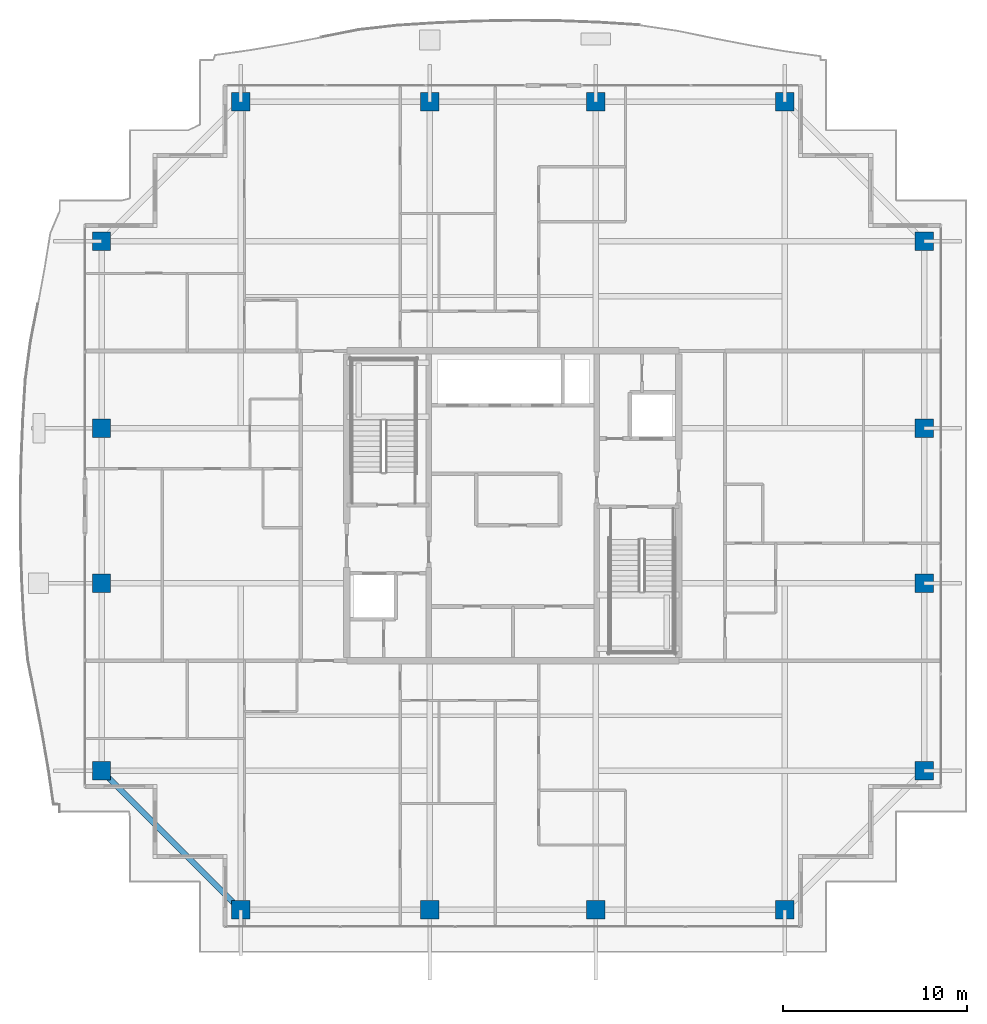
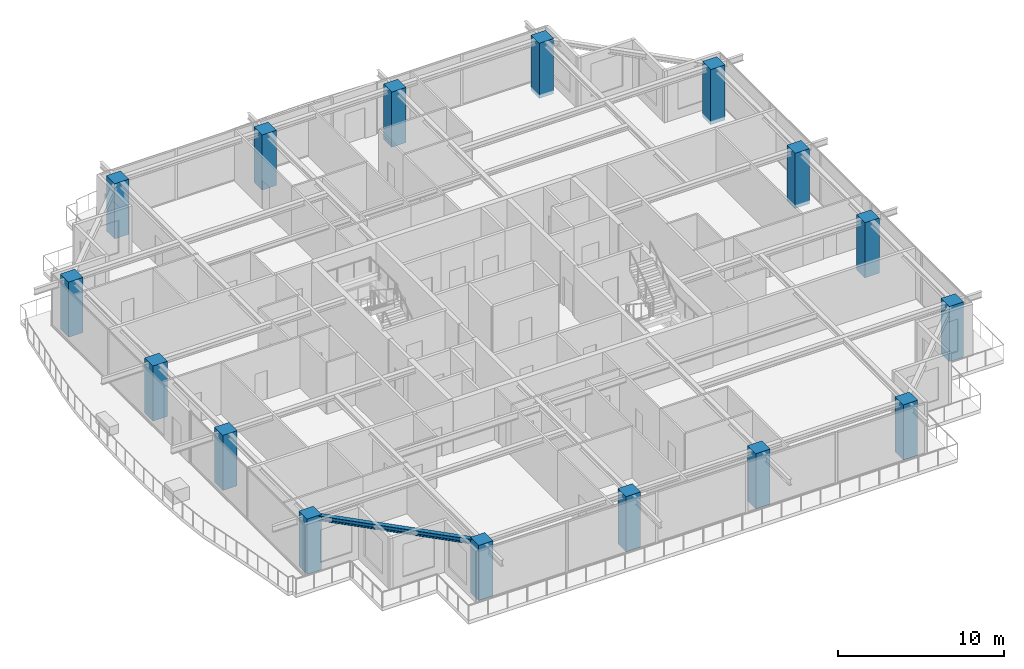
# One storey, part 1 of 37: 16 columns, 1 beam.
"""IFC4 building model written with IfcOpenShell, lengths in metres."""

from ifc_helpers import new_model, si_unit, direction, frame, origin, origin_2d, place, context, subcontext, project, spatial, rectangle, i_section, extrude, source, transform, mapped, material, material_profile, profile_set, type_object, element, save


model = new_model("IFC4")

# Units and contexts
model_context = context("Model", 3, precision=1e-05, world=origin(), true_north=direction((0.0, 1.0)))
body_context = subcontext(model_context, "Body", "Model", "MODEL_VIEW")
ifc_project = project(units=[si_unit("LENGTHUNIT", "METRE"), si_unit("AREAUNIT", "SQUARE_METRE"), si_unit("VOLUMEUNIT", "CUBIC_METRE"), si_unit("PLANEANGLEUNIT", "RADIAN"), si_unit("MASSUNIT", "GRAM", prefix="KILO")], contexts=[model_context])

# Site, building, storey
site_placement = place(None, origin())
site = spatial("IfcSite", under=ifc_project, at=site_placement, CompositionType="ELEMENT")
building_placement = place(site_placement, origin())
building = spatial("IfcBuilding", under=site, at=building_placement, Name="Serunith Strait Residences", CompositionType="ELEMENT")
storey_placement = place(building_placement, frame((0.0, 0.0, 317.75)))
storey = spatial("IfcBuildingStorey", under=building, at=storey_placement, Name="L79", CompositionType="ELEMENT", Elevation=317.75)

# Columns
ifc_material_1 = material(Name="Concrete C70/85", Category="concrete")
ifc_material_profile_1 = material_profile(ifc_material_1, rectangle(XDim=1.0, YDim=1.0, at=origin_2d()), Name="RC 1000x1000")
ifc_profile_set_1 = profile_set([ifc_material_profile_1], Name="Concrete C70/85")
column_type = type_object("IfcColumnType", Name="COL-RC-1000", PredefinedType="COLUMN", material=ifc_profile_set_1)
shared_shape_1 = source(origin(), body_context, "Body", "SweptSolid", [
    extrude(rectangle(XDim=1.0, YDim=1.0, at=origin_2d()), origin(), (0.0, 0.0, 1.0), 4.050048828125),
])
for number, where, z_axis, x_axis, name in (
    (1, (17.64990234375, 3.300048828125, -0.260009765625), (0.0, 0.0, 1.0), (1.0, 0.0, 0.0), "L79 Tower Mega-Column TC-S1"),
    (2, (27.89990234375, 3.300048828125, -0.260009765625), (0.0, 0.0, 1.0), (1.0, 0.0, 0.0), "L79 Tower Mega-Column TC-S2"),
    (3, (36.89990234375, 3.300048828125, -0.260009765625), (0.0, 0.0, 1.0), (1.0, 0.0, 0.0), "L79 Tower Mega-Column TC-S3"),
    (4, (47.14990234375, 3.300048828125, -0.260009765625), (0.0, 0.0, 1.0), (1.0, 0.0, 0.0), "L79 Tower Mega-Column TC-S4"),
    (5, (17.64990234375, 47.10009765625, -0.260009765625), (0.0, 0.0, 1.0), (1.0, 0.0, 0.0), "L79 Tower Mega-Column TC-N1"),
    (6, (27.89990234375, 47.10009765625, -0.260009765625), (0.0, 0.0, 1.0), (1.0, 0.0, 0.0), "L79 Tower Mega-Column TC-N2"),
    (7, (36.89990234375, 47.10009765625, -0.260009765625), (0.0, 0.0, 1.0), (1.0, 0.0, 0.0), "L79 Tower Mega-Column TC-N3"),
    (8, (47.14990234375, 47.10009765625, -0.260009765625), (0.0, 0.0, 1.0), (1.0, 0.0, 0.0), "L79 Tower Mega-Column TC-N4"),
    (9, (54.699951171875, 10.85009765625, -0.260009765625), (0.0, 0.0, 1.0), (1.0, 0.0, 0.0), "L79 Tower Mega-Column TC-E1"),
    (10, (54.699951171875, 21.0, -0.260009765625), (0.0, 0.0, 1.0), (1.0, 0.0, 0.0), "L79 Tower Mega-Column TC-E2"),
    (11, (54.699951171875, 29.39990234375, -0.260009765625), (0.0, 0.0, 1.0), (1.0, 0.0, 0.0), "L79 Tower Mega-Column TC-E3"),
    (12, (54.699951171875, 39.550048828125, -0.260009765625), (0.0, 0.0, 1.0), (1.0, 0.0, 0.0), "L79 Tower Mega-Column TC-E4"),
    (13, (10.10009765625, 10.85009765625, -0.260009765625), (0.0, 0.0, 1.0), (1.0, 0.0, 0.0), "L79 Tower Mega-Column TC-W1"),
    (14, (10.10009765625, 21.0, -0.260009765625), (0.0, 0.0, 1.0), (1.0, 0.0, 0.0), "L79 Tower Mega-Column TC-W2"),
    (15, (10.10009765625, 29.39990234375, -0.260009765625), (0.0, 0.0, 1.0), (1.0, 0.0, 0.0), "L79 Tower Mega-Column TC-W3"),
    (16, (10.10009765625, 39.550048828125, -0.260009765625), (0.0, 0.0, 1.0), (1.0, 0.0, 0.0), "L79 Tower Mega-Column TC-W4"),
):
    element("IfcColumn", number, at=place(storey_placement, frame(where, z_axis=z_axis, x_axis=x_axis)), inside=storey, type_object=column_type, Name=name, PredefinedType="COLUMN", context=body_context, shape_type="MappedRepresentation", body=[
        mapped(shared_shape_1, transform((0.0, 0.0, 0.0), scale=1.0)),
    ])

# Beam
ifc_material_2 = material(Name="Steel S355J2", Category="steel")
ifc_material_profile_2 = material_profile(ifc_material_2, i_section(OverallWidth=0.300048828125, OverallDepth=0.360107421875, WebThickness=0.012451171875, FlangeThickness=0.0224609375, FilletRadius=0.027099609375, at=origin_2d()), Name="HEB 360")
ifc_profile_set_2 = profile_set([ifc_material_profile_2], Name="Steel S355J2")
beam_type = type_object("IfcBeamType", Name="BM-HEB360", PredefinedType="BEAM", material=ifc_profile_set_2)
shared_shape_2 = source(origin(), body_context, "Body", "SweptSolid", [
    extrude(i_section(OverallWidth=0.300048828125, OverallDepth=0.360107421875, WebThickness=0.012451171875, FlangeThickness=0.0224609375, FilletRadius=0.027099609375, at=origin_2d()), origin(), (0.0, 0.0, 1.0), 10.67724609375),
])
beam_placement = place(storey_placement, frame((10.10009765625, 10.85009765625, 3.576904296875), z_axis=(0.707095348302, -0.707118213887, 0.0), x_axis=(0.707118213887, 0.707095348302, 0.0)))
element("IfcBeam", 17, at=beam_placement, inside=storey, type_object=beam_type, Name="L79 Perimeter Ring Beam 16", PredefinedType="BEAM", context=body_context, shape_type="MappedRepresentation", body=[
    mapped(shared_shape_2, transform((0.0, 0.0, 0.0), scale=1.0)),
])

save(model, "model.ifc")
